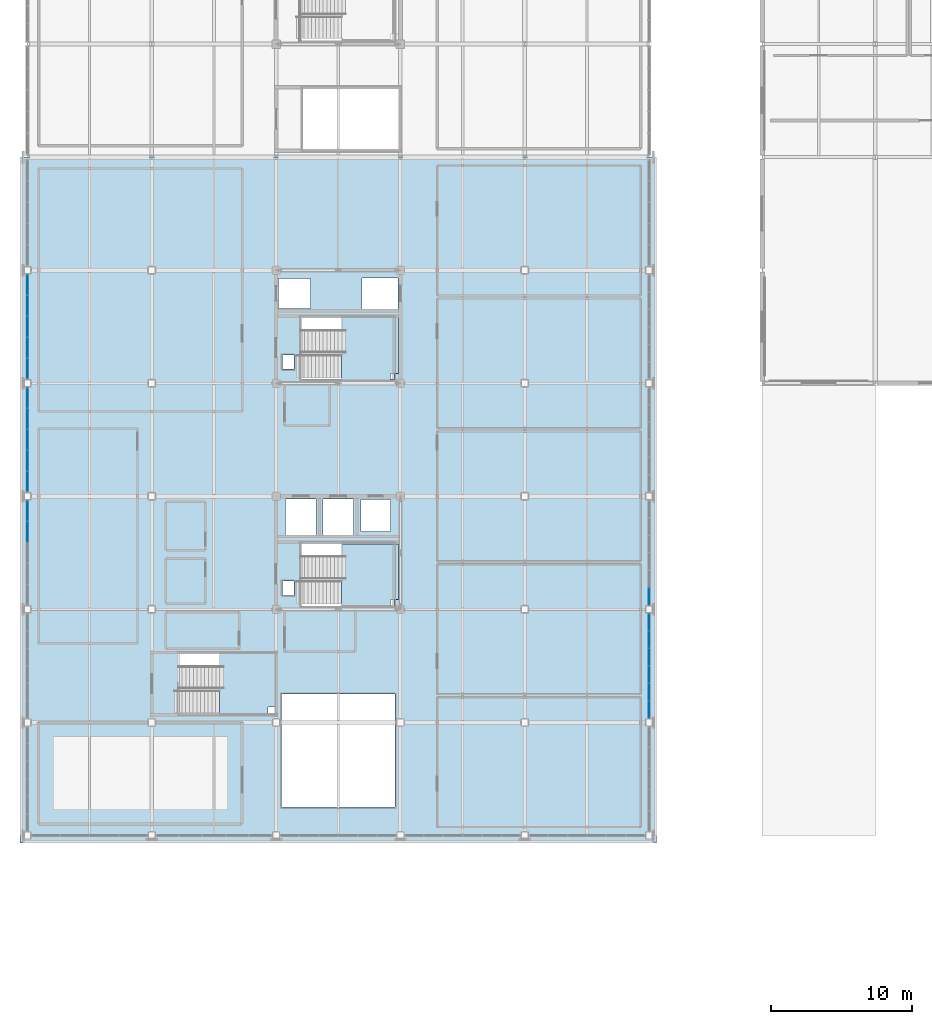
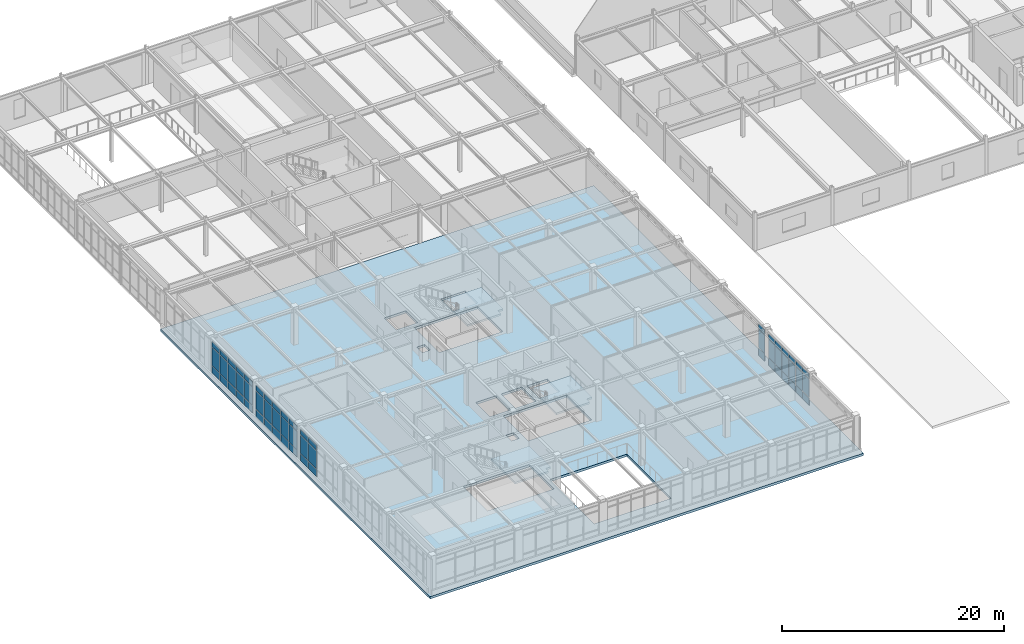
# One storey, part 40 of 88: 57 plates, 4 slabs, 8 elements without a shape of their own.
"""IFC4 building model written with IfcOpenShell, lengths in metres."""

from ifc_helpers import new_model, si_unit, direction, frame, origin, origin_2d, place, context, subcontext, project, spatial, polyline, rectangle, outline, extrude, material, layer, layer_set, type_object, element, aggregate, save


model = new_model("IFC4")

# Units and contexts
model_context = context("Model", 3, precision=1e-05, world=origin(), true_north=direction((0.0, 1.0)))
body_context = subcontext(model_context, "Body", "Model", "MODEL_VIEW")
ifc_project = project(units=[si_unit("LENGTHUNIT", "METRE"), si_unit("AREAUNIT", "SQUARE_METRE"), si_unit("VOLUMEUNIT", "CUBIC_METRE"), si_unit("PLANEANGLEUNIT", "RADIAN"), si_unit("MASSUNIT", "GRAM", prefix="KILO")], contexts=[model_context])

# Site, building, storey
site_placement = place(None, origin())
site = spatial("IfcSite", under=ifc_project, at=site_placement, CompositionType="ELEMENT")
building_placement = place(site_placement, origin())
building = spatial("IfcBuilding", under=site, at=building_placement, Name="Zhaolan Boulevard Law Courts", CompositionType="ELEMENT")
storey_placement = place(building_placement, frame((0.0, 0.0, 16.199951171875)))
storey = spatial("IfcBuildingStorey", under=building, at=storey_placement, Name="L03", CompositionType="ELEMENT", Elevation=16.199951171875)

# Curtain wall, plates
ifc_material_1 = material(Name="Thermally broken aluminium and low-E glazing", Category="aluminium")
curtain_wall_type_1 = type_object("IfcCurtainWallType", Name="CURTAIN WALL M7", PredefinedType="USERDEFINED", material=ifc_material_1)
curtain_wall_1_placement = place(storey_placement, origin())
curtain_wall_1 = element("IfcCurtainWall", 1, at=curtain_wall_1_placement, inside=storey, type_object=curtain_wall_type_1, Name="Curtain Wall CW-L03-175", ObjectType="CURTAIN WALL", PredefinedType="USERDEFINED")
ifc_material_2 = material(Name="Triple-silver low-E insulated glazing", Category="glass")
ifc_layer_1 = layer(ifc_material_2, 0.028076171875)
ifc_layer_set_1 = layer_set([ifc_layer_1])
plate_type = type_object("IfcPlateType", Name="CWPANEL LOW E28", PredefinedType="CURTAIN_PANEL", material=ifc_layer_set_1)
plate_1_placement = place(storey_placement, frame((0.0, 52.962158203125, 0.06494140625), z_axis=(0.0, 0.0, 1.0), x_axis=(0.0, -1.0, 0.0)))
plate_1 = element("IfcPlate", 2, at=plate_1_placement, type_object=plate_type, Name="CW-L03-175 panel 1.1", PredefinedType="CURTAIN_PANEL", context=body_context, shape_type="SweptSolid", body=[
    extrude(rectangle(XDim=1.3916015625, YDim=0.028076171875, at=origin_2d()), origin(), (0.0, 0.0, 1.0), 0.802490234375),
])
plate_2_placement = place(storey_placement, frame((0.0, 52.962158203125, 0.9326171875), z_axis=(0.0, 0.0, 1.0), x_axis=(0.0, -1.0, 0.0)))
plate_2 = element("IfcPlate", 3, at=plate_2_placement, type_object=plate_type, Name="CW-L03-175 panel 1.2", PredefinedType="CURTAIN_PANEL", context=body_context, shape_type="SweptSolid", body=[
    extrude(rectangle(XDim=1.3916015625, YDim=0.028076171875, at=origin_2d()), origin(), (0.0, 0.0, 1.0), 1.97802734375),
])
plate_3_placement = place(storey_placement, frame((0.0, 52.962158203125, 2.9755859375), z_axis=(0.0, 0.0, 1.0), x_axis=(0.0, -1.0, 0.0)))
plate_3 = element("IfcPlate", 4, at=plate_3_placement, type_object=plate_type, Name="CW-L03-175 panel 1.3", PredefinedType="CURTAIN_PANEL", context=body_context, shape_type="SweptSolid", body=[
    extrude(rectangle(XDim=1.3916015625, YDim=0.028076171875, at=origin_2d()), origin(), (0.0, 0.0, 1.0), 0.552490234375),
])
plate_4_placement = place(storey_placement, frame((0.0, 51.4892578125, 0.06494140625), z_axis=(0.0, 0.0, 1.0), x_axis=(0.0, -1.0, 0.0)))
plate_4 = element("IfcPlate", 5, at=plate_4_placement, type_object=plate_type, Name="CW-L03-175 panel 2.1", PredefinedType="CURTAIN_PANEL", context=body_context, shape_type="SweptSolid", body=[
    extrude(rectangle(XDim=1.42431640625, YDim=0.028076171875, at=origin_2d()), origin(), (0.0, 0.0, 1.0), 0.802490234375),
])
plate_5_placement = place(storey_placement, frame((0.0, 51.4892578125, 0.9326171875), z_axis=(0.0, 0.0, 1.0), x_axis=(0.0, -1.0, 0.0)))
plate_5 = element("IfcPlate", 6, at=plate_5_placement, type_object=plate_type, Name="CW-L03-175 panel 2.2", PredefinedType="CURTAIN_PANEL", context=body_context, shape_type="SweptSolid", body=[
    extrude(rectangle(XDim=1.42431640625, YDim=0.028076171875, at=origin_2d()), origin(), (0.0, 0.0, 1.0), 1.97802734375),
])
plate_6_placement = place(storey_placement, frame((0.0, 51.4892578125, 2.9755859375), z_axis=(0.0, 0.0, 1.0), x_axis=(0.0, -1.0, 0.0)))
plate_6 = element("IfcPlate", 7, at=plate_6_placement, type_object=plate_type, Name="CW-L03-175 panel 2.3", PredefinedType="CURTAIN_PANEL", context=body_context, shape_type="SweptSolid", body=[
    extrude(rectangle(XDim=1.42431640625, YDim=0.028076171875, at=origin_2d()), origin(), (0.0, 0.0, 1.0), 0.552490234375),
])
aggregate(curtain_wall_1, [plate_1, plate_2, plate_3, plate_4, plate_5, plate_6])

ifc_material_3 = material(Name="Thermally broken aluminium and low-E glazing", Category="aluminium")
curtain_wall_type_2 = type_object("IfcCurtainWallType", Name="CURTAIN WALL M8", PredefinedType="USERDEFINED", material=ifc_material_3)
curtain_wall_2_placement = place(storey_placement, origin())
curtain_wall_2 = element("IfcCurtainWall", 8, at=curtain_wall_2_placement, inside=storey, type_object=curtain_wall_type_2, Name="Curtain Wall CW-L03-176", ObjectType="CURTAIN WALL", PredefinedType="USERDEFINED")
plate_7_placement = place(storey_placement, frame((0.0, 60.962158203125, 0.06494140625), z_axis=(0.0, 0.0, 1.0), x_axis=(0.0, -1.0, 0.0)))
plate_7 = element("IfcPlate", 9, at=plate_7_placement, type_object=plate_type, Name="CW-L03-176 panel 1.1", PredefinedType="CURTAIN_PANEL", context=body_context, shape_type="SweptSolid", body=[
    extrude(rectangle(XDim=1.3916015625, YDim=0.028076171875, at=origin_2d()), origin(), (0.0, 0.0, 1.0), 0.802490234375),
])
plate_8_placement = place(storey_placement, frame((0.0, 60.962158203125, 0.9326171875), z_axis=(0.0, 0.0, 1.0), x_axis=(0.0, -1.0, 0.0)))
plate_8 = element("IfcPlate", 10, at=plate_8_placement, type_object=plate_type, Name="CW-L03-176 panel 1.2", PredefinedType="CURTAIN_PANEL", context=body_context, shape_type="SweptSolid", body=[
    extrude(rectangle(XDim=1.3916015625, YDim=0.028076171875, at=origin_2d()), origin(), (0.0, 0.0, 1.0), 1.97802734375),
])
plate_9_placement = place(storey_placement, frame((0.0, 60.962158203125, 2.9755859375), z_axis=(0.0, 0.0, 1.0), x_axis=(0.0, -1.0, 0.0)))
plate_9 = element("IfcPlate", 11, at=plate_9_placement, type_object=plate_type, Name="CW-L03-176 panel 1.3", PredefinedType="CURTAIN_PANEL", context=body_context, shape_type="SweptSolid", body=[
    extrude(rectangle(XDim=1.3916015625, YDim=0.028076171875, at=origin_2d()), origin(), (0.0, 0.0, 1.0), 0.552490234375),
])
plate_10_placement = place(storey_placement, frame((0.0, 59.4892578125, 0.06494140625), z_axis=(0.0, 0.0, 1.0), x_axis=(0.0, -1.0, 0.0)))
plate_10 = element("IfcPlate", 12, at=plate_10_placement, type_object=plate_type, Name="CW-L03-176 panel 2.1", PredefinedType="CURTAIN_PANEL", context=body_context, shape_type="SweptSolid", body=[
    extrude(rectangle(XDim=1.42431640625, YDim=0.028076171875, at=origin_2d()), origin(), (0.0, 0.0, 1.0), 0.802490234375),
])
plate_11_placement = place(storey_placement, frame((0.0, 59.4892578125, 0.9326171875), z_axis=(0.0, 0.0, 1.0), x_axis=(0.0, -1.0, 0.0)))
plate_11 = element("IfcPlate", 13, at=plate_11_placement, type_object=plate_type, Name="CW-L03-176 panel 2.2", PredefinedType="CURTAIN_PANEL", context=body_context, shape_type="SweptSolid", body=[
    extrude(rectangle(XDim=1.42431640625, YDim=0.028076171875, at=origin_2d()), origin(), (0.0, 0.0, 1.0), 1.97802734375),
])
plate_12_placement = place(storey_placement, frame((0.0, 59.4892578125, 2.9755859375), z_axis=(0.0, 0.0, 1.0), x_axis=(0.0, -1.0, 0.0)))
plate_12 = element("IfcPlate", 14, at=plate_12_placement, type_object=plate_type, Name="CW-L03-176 panel 2.3", PredefinedType="CURTAIN_PANEL", context=body_context, shape_type="SweptSolid", body=[
    extrude(rectangle(XDim=1.42431640625, YDim=0.028076171875, at=origin_2d()), origin(), (0.0, 0.0, 1.0), 0.552490234375),
])
plate_13_placement = place(storey_placement, frame((0.0, 58.0, 0.06494140625), z_axis=(0.0, 0.0, 1.0), x_axis=(0.0, -1.0, 0.0)))
plate_13 = element("IfcPlate", 15, at=plate_13_placement, type_object=plate_type, Name="CW-L03-176 panel 3.1", PredefinedType="CURTAIN_PANEL", context=body_context, shape_type="SweptSolid", body=[
    extrude(rectangle(XDim=1.42431640625, YDim=0.028076171875, at=origin_2d()), origin(), (0.0, 0.0, 1.0), 0.802490234375),
])
plate_14_placement = place(storey_placement, frame((0.0, 58.0, 0.9326171875), z_axis=(0.0, 0.0, 1.0), x_axis=(0.0, -1.0, 0.0)))
plate_14 = element("IfcPlate", 16, at=plate_14_placement, type_object=plate_type, Name="CW-L03-176 panel 3.2", PredefinedType="CURTAIN_PANEL", context=body_context, shape_type="SweptSolid", body=[
    extrude(rectangle(XDim=1.42431640625, YDim=0.028076171875, at=origin_2d()), origin(), (0.0, 0.0, 1.0), 1.97802734375),
])
plate_15_placement = place(storey_placement, frame((0.0, 58.0, 2.9755859375), z_axis=(0.0, 0.0, 1.0), x_axis=(0.0, -1.0, 0.0)))
plate_15 = element("IfcPlate", 17, at=plate_15_placement, type_object=plate_type, Name="CW-L03-176 panel 3.3", PredefinedType="CURTAIN_PANEL", context=body_context, shape_type="SweptSolid", body=[
    extrude(rectangle(XDim=1.42431640625, YDim=0.028076171875, at=origin_2d()), origin(), (0.0, 0.0, 1.0), 0.552490234375),
])
plate_16_placement = place(storey_placement, frame((0.0, 56.5107421875, 0.06494140625), z_axis=(0.0, 0.0, 1.0), x_axis=(0.0, -1.0, 0.0)))
plate_16 = element("IfcPlate", 18, at=plate_16_placement, type_object=plate_type, Name="CW-L03-176 panel 4.1", PredefinedType="CURTAIN_PANEL", context=body_context, shape_type="SweptSolid", body=[
    extrude(rectangle(XDim=1.42431640625, YDim=0.028076171875, at=origin_2d()), origin(), (0.0, 0.0, 1.0), 0.802490234375),
])
plate_17_placement = place(storey_placement, frame((0.0, 56.5107421875, 0.9326171875), z_axis=(0.0, 0.0, 1.0), x_axis=(0.0, -1.0, 0.0)))
plate_17 = element("IfcPlate", 19, at=plate_17_placement, type_object=plate_type, Name="CW-L03-176 panel 4.2", PredefinedType="CURTAIN_PANEL", context=body_context, shape_type="SweptSolid", body=[
    extrude(rectangle(XDim=1.42431640625, YDim=0.028076171875, at=origin_2d()), origin(), (0.0, 0.0, 1.0), 1.97802734375),
])
plate_18_placement = place(storey_placement, frame((0.0, 56.5107421875, 2.9755859375), z_axis=(0.0, 0.0, 1.0), x_axis=(0.0, -1.0, 0.0)))
plate_18 = element("IfcPlate", 20, at=plate_18_placement, type_object=plate_type, Name="CW-L03-176 panel 4.3", PredefinedType="CURTAIN_PANEL", context=body_context, shape_type="SweptSolid", body=[
    extrude(rectangle(XDim=1.42431640625, YDim=0.028076171875, at=origin_2d()), origin(), (0.0, 0.0, 1.0), 0.552490234375),
])
plate_19_placement = place(storey_placement, frame((0.0, 55.037841796875, 0.06494140625), z_axis=(0.0, 0.0, 1.0), x_axis=(0.0, -1.0, 0.0)))
plate_19 = element("IfcPlate", 21, at=plate_19_placement, type_object=plate_type, Name="CW-L03-176 panel 5.1", PredefinedType="CURTAIN_PANEL", context=body_context, shape_type="SweptSolid", body=[
    extrude(rectangle(XDim=1.3916015625, YDim=0.028076171875, at=origin_2d()), origin(), (0.0, 0.0, 1.0), 0.802490234375),
])
plate_20_placement = place(storey_placement, frame((0.0, 55.037841796875, 0.9326171875), z_axis=(0.0, 0.0, 1.0), x_axis=(0.0, -1.0, 0.0)))
plate_20 = element("IfcPlate", 22, at=plate_20_placement, type_object=plate_type, Name="CW-L03-176 panel 5.2", PredefinedType="CURTAIN_PANEL", context=body_context, shape_type="SweptSolid", body=[
    extrude(rectangle(XDim=1.3916015625, YDim=0.028076171875, at=origin_2d()), origin(), (0.0, 0.0, 1.0), 1.97802734375),
])
plate_21_placement = place(storey_placement, frame((0.0, 55.037841796875, 2.9755859375), z_axis=(0.0, 0.0, 1.0), x_axis=(0.0, -1.0, 0.0)))
plate_21 = element("IfcPlate", 23, at=plate_21_placement, type_object=plate_type, Name="CW-L03-176 panel 5.3", PredefinedType="CURTAIN_PANEL", context=body_context, shape_type="SweptSolid", body=[
    extrude(rectangle(XDim=1.3916015625, YDim=0.028076171875, at=origin_2d()), origin(), (0.0, 0.0, 1.0), 0.552490234375),
])
aggregate(curtain_wall_2, [plate_7, plate_8, plate_9, plate_10, plate_11, plate_12, plate_13, plate_14, plate_15, plate_16, plate_17, plate_18, plate_19, plate_20, plate_21])

ifc_material_4 = material(Name="Thermally broken aluminium and low-E glazing", Category="aluminium")
curtain_wall_type_3 = type_object("IfcCurtainWallType", Name="CURTAIN WALL M9", PredefinedType="USERDEFINED", material=ifc_material_4)
curtain_wall_3_placement = place(storey_placement, origin())
curtain_wall_3 = element("IfcCurtainWall", 24, at=curtain_wall_3_placement, inside=storey, type_object=curtain_wall_type_3, Name="Curtain Wall CW-L03-177", ObjectType="CURTAIN WALL", PredefinedType="USERDEFINED")
plate_22_placement = place(storey_placement, frame((0.0, 68.962158203125, 0.06494140625), z_axis=(0.0, 0.0, 1.0), x_axis=(0.0, -1.0, 0.0)))
plate_22 = element("IfcPlate", 25, at=plate_22_placement, type_object=plate_type, Name="CW-L03-177 panel 1.1", PredefinedType="CURTAIN_PANEL", context=body_context, shape_type="SweptSolid", body=[
    extrude(rectangle(XDim=1.3916015625, YDim=0.028076171875, at=origin_2d()), origin(), (0.0, 0.0, 1.0), 0.802490234375),
])
plate_23_placement = place(storey_placement, frame((0.0, 68.962158203125, 0.9326171875), z_axis=(0.0, 0.0, 1.0), x_axis=(0.0, -1.0, 0.0)))
plate_23 = element("IfcPlate", 26, at=plate_23_placement, type_object=plate_type, Name="CW-L03-177 panel 1.2", PredefinedType="CURTAIN_PANEL", context=body_context, shape_type="SweptSolid", body=[
    extrude(rectangle(XDim=1.3916015625, YDim=0.028076171875, at=origin_2d()), origin(), (0.0, 0.0, 1.0), 1.97802734375),
])
plate_24_placement = place(storey_placement, frame((0.0, 68.962158203125, 2.9755859375), z_axis=(0.0, 0.0, 1.0), x_axis=(0.0, -1.0, 0.0)))
plate_24 = element("IfcPlate", 27, at=plate_24_placement, type_object=plate_type, Name="CW-L03-177 panel 1.3", PredefinedType="CURTAIN_PANEL", context=body_context, shape_type="SweptSolid", body=[
    extrude(rectangle(XDim=1.3916015625, YDim=0.028076171875, at=origin_2d()), origin(), (0.0, 0.0, 1.0), 0.552490234375),
])
plate_25_placement = place(storey_placement, frame((0.0, 67.4892578125, 0.06494140625), z_axis=(0.0, 0.0, 1.0), x_axis=(0.0, -1.0, 0.0)))
plate_25 = element("IfcPlate", 28, at=plate_25_placement, type_object=plate_type, Name="CW-L03-177 panel 2.1", PredefinedType="CURTAIN_PANEL", context=body_context, shape_type="SweptSolid", body=[
    extrude(rectangle(XDim=1.42431640625, YDim=0.028076171875, at=origin_2d()), origin(), (0.0, 0.0, 1.0), 0.802490234375),
])
plate_26_placement = place(storey_placement, frame((0.0, 67.4892578125, 0.9326171875), z_axis=(0.0, 0.0, 1.0), x_axis=(0.0, -1.0, 0.0)))
plate_26 = element("IfcPlate", 29, at=plate_26_placement, type_object=plate_type, Name="CW-L03-177 panel 2.2", PredefinedType="CURTAIN_PANEL", context=body_context, shape_type="SweptSolid", body=[
    extrude(rectangle(XDim=1.42431640625, YDim=0.028076171875, at=origin_2d()), origin(), (0.0, 0.0, 1.0), 1.97802734375),
])
plate_27_placement = place(storey_placement, frame((0.0, 67.4892578125, 2.9755859375), z_axis=(0.0, 0.0, 1.0), x_axis=(0.0, -1.0, 0.0)))
plate_27 = element("IfcPlate", 30, at=plate_27_placement, type_object=plate_type, Name="CW-L03-177 panel 2.3", PredefinedType="CURTAIN_PANEL", context=body_context, shape_type="SweptSolid", body=[
    extrude(rectangle(XDim=1.42431640625, YDim=0.028076171875, at=origin_2d()), origin(), (0.0, 0.0, 1.0), 0.552490234375),
])
plate_28_placement = place(storey_placement, frame((0.0, 66.0, 0.06494140625), z_axis=(0.0, 0.0, 1.0), x_axis=(0.0, -1.0, 0.0)))
plate_28 = element("IfcPlate", 31, at=plate_28_placement, type_object=plate_type, Name="CW-L03-177 panel 3.1", PredefinedType="CURTAIN_PANEL", context=body_context, shape_type="SweptSolid", body=[
    extrude(rectangle(XDim=1.42431640625, YDim=0.028076171875, at=origin_2d()), origin(), (0.0, 0.0, 1.0), 0.802490234375),
])
plate_29_placement = place(storey_placement, frame((0.0, 66.0, 0.9326171875), z_axis=(0.0, 0.0, 1.0), x_axis=(0.0, -1.0, 0.0)))
plate_29 = element("IfcPlate", 32, at=plate_29_placement, type_object=plate_type, Name="CW-L03-177 panel 3.2", PredefinedType="CURTAIN_PANEL", context=body_context, shape_type="SweptSolid", body=[
    extrude(rectangle(XDim=1.42431640625, YDim=0.028076171875, at=origin_2d()), origin(), (0.0, 0.0, 1.0), 1.97802734375),
])
plate_30_placement = place(storey_placement, frame((0.0, 66.0, 2.9755859375), z_axis=(0.0, 0.0, 1.0), x_axis=(0.0, -1.0, 0.0)))
plate_30 = element("IfcPlate", 33, at=plate_30_placement, type_object=plate_type, Name="CW-L03-177 panel 3.3", PredefinedType="CURTAIN_PANEL", context=body_context, shape_type="SweptSolid", body=[
    extrude(rectangle(XDim=1.42431640625, YDim=0.028076171875, at=origin_2d()), origin(), (0.0, 0.0, 1.0), 0.552490234375),
])
plate_31_placement = place(storey_placement, frame((0.0, 64.5107421875, 0.06494140625), z_axis=(0.0, 0.0, 1.0), x_axis=(0.0, -1.0, 0.0)))
plate_31 = element("IfcPlate", 34, at=plate_31_placement, type_object=plate_type, Name="CW-L03-177 panel 4.1", PredefinedType="CURTAIN_PANEL", context=body_context, shape_type="SweptSolid", body=[
    extrude(rectangle(XDim=1.42431640625, YDim=0.028076171875, at=origin_2d()), origin(), (0.0, 0.0, 1.0), 0.802490234375),
])
plate_32_placement = place(storey_placement, frame((0.0, 64.5107421875, 0.9326171875), z_axis=(0.0, 0.0, 1.0), x_axis=(0.0, -1.0, 0.0)))
plate_32 = element("IfcPlate", 35, at=plate_32_placement, type_object=plate_type, Name="CW-L03-177 panel 4.2", PredefinedType="CURTAIN_PANEL", context=body_context, shape_type="SweptSolid", body=[
    extrude(rectangle(XDim=1.42431640625, YDim=0.028076171875, at=origin_2d()), origin(), (0.0, 0.0, 1.0), 1.97802734375),
])
plate_33_placement = place(storey_placement, frame((0.0, 64.5107421875, 2.9755859375), z_axis=(0.0, 0.0, 1.0), x_axis=(0.0, -1.0, 0.0)))
plate_33 = element("IfcPlate", 36, at=plate_33_placement, type_object=plate_type, Name="CW-L03-177 panel 4.3", PredefinedType="CURTAIN_PANEL", context=body_context, shape_type="SweptSolid", body=[
    extrude(rectangle(XDim=1.42431640625, YDim=0.028076171875, at=origin_2d()), origin(), (0.0, 0.0, 1.0), 0.552490234375),
])
plate_34_placement = place(storey_placement, frame((0.0, 63.037841796875, 0.06494140625), z_axis=(0.0, 0.0, 1.0), x_axis=(0.0, -1.0, 0.0)))
plate_34 = element("IfcPlate", 37, at=plate_34_placement, type_object=plate_type, Name="CW-L03-177 panel 5.1", PredefinedType="CURTAIN_PANEL", context=body_context, shape_type="SweptSolid", body=[
    extrude(rectangle(XDim=1.3916015625, YDim=0.028076171875, at=origin_2d()), origin(), (0.0, 0.0, 1.0), 0.802490234375),
])
plate_35_placement = place(storey_placement, frame((0.0, 63.037841796875, 0.9326171875), z_axis=(0.0, 0.0, 1.0), x_axis=(0.0, -1.0, 0.0)))
plate_35 = element("IfcPlate", 38, at=plate_35_placement, type_object=plate_type, Name="CW-L03-177 panel 5.2", PredefinedType="CURTAIN_PANEL", context=body_context, shape_type="SweptSolid", body=[
    extrude(rectangle(XDim=1.3916015625, YDim=0.028076171875, at=origin_2d()), origin(), (0.0, 0.0, 1.0), 1.97802734375),
])
plate_36_placement = place(storey_placement, frame((0.0, 63.037841796875, 2.9755859375), z_axis=(0.0, 0.0, 1.0), x_axis=(0.0, -1.0, 0.0)))
plate_36 = element("IfcPlate", 39, at=plate_36_placement, type_object=plate_type, Name="CW-L03-177 panel 5.3", PredefinedType="CURTAIN_PANEL", context=body_context, shape_type="SweptSolid", body=[
    extrude(rectangle(XDim=1.3916015625, YDim=0.028076171875, at=origin_2d()), origin(), (0.0, 0.0, 1.0), 0.552490234375),
])
aggregate(curtain_wall_3, [plate_22, plate_23, plate_24, plate_25, plate_26, plate_27, plate_28, plate_29, plate_30, plate_31, plate_32, plate_33, plate_34, plate_35, plate_36])

ifc_material_5 = material(Name="Thermally broken aluminium and low-E glazing", Category="aluminium")
curtain_wall_type_4 = type_object("IfcCurtainWallType", Name="CURTAIN WALL M12", PredefinedType="USERDEFINED", material=ifc_material_5)
curtain_wall_4_placement = place(storey_placement, origin())
curtain_wall_4 = element("IfcCurtainWall", 40, at=curtain_wall_4_placement, inside=storey, type_object=curtain_wall_type_4, Name="Curtain Wall CW-L03-180", ObjectType="CURTAIN WALL", PredefinedType="USERDEFINED")
plate_37_placement = place(storey_placement, frame((44.0, 38.913818359375, 0.06494140625), z_axis=(0.0, 0.0, 1.0), x_axis=(0.0, 1.0, 0.0)))
plate_37 = element("IfcPlate", 41, at=plate_37_placement, type_object=plate_type, Name="CW-L03-180 panel 1.1", PredefinedType="CURTAIN_PANEL", context=body_context, shape_type="SweptSolid", body=[
    extrude(rectangle(XDim=1.1435546875, YDim=0.028076171875, at=origin_2d()), origin(), (0.0, 0.0, 1.0), 0.802490234375),
])
plate_38_placement = place(storey_placement, frame((44.0, 38.913818359375, 0.9326171875), z_axis=(0.0, 0.0, 1.0), x_axis=(0.0, 1.0, 0.0)))
plate_38 = element("IfcPlate", 42, at=plate_38_placement, type_object=plate_type, Name="CW-L03-180 panel 1.2", PredefinedType="CURTAIN_PANEL", context=body_context, shape_type="SweptSolid", body=[
    extrude(rectangle(XDim=1.1435546875, YDim=0.028076171875, at=origin_2d()), origin(), (0.0, 0.0, 1.0), 1.97802734375),
])
plate_39_placement = place(storey_placement, frame((44.0, 38.913818359375, 2.9755859375), z_axis=(0.0, 0.0, 1.0), x_axis=(0.0, 1.0, 0.0)))
plate_39 = element("IfcPlate", 43, at=plate_39_placement, type_object=plate_type, Name="CW-L03-180 panel 1.3", PredefinedType="CURTAIN_PANEL", context=body_context, shape_type="SweptSolid", body=[
    extrude(rectangle(XDim=1.1435546875, YDim=0.028076171875, at=origin_2d()), origin(), (0.0, 0.0, 1.0), 0.552490234375),
])
plate_40_placement = place(storey_placement, frame((44.0, 40.138427734375, 0.06494140625), z_axis=(0.0, 0.0, 1.0), x_axis=(0.0, 1.0, 0.0)))
plate_40 = element("IfcPlate", 44, at=plate_40_placement, type_object=plate_type, Name="CW-L03-180 panel 2.1", PredefinedType="CURTAIN_PANEL", context=body_context, shape_type="SweptSolid", body=[
    extrude(rectangle(XDim=1.176025390625, YDim=0.028076171875, at=origin_2d()), origin(), (0.0, 0.0, 1.0), 0.802490234375),
])
plate_41_placement = place(storey_placement, frame((44.0, 40.138427734375, 0.9326171875), z_axis=(0.0, 0.0, 1.0), x_axis=(0.0, 1.0, 0.0)))
plate_41 = element("IfcPlate", 45, at=plate_41_placement, type_object=plate_type, Name="CW-L03-180 panel 2.2", PredefinedType="CURTAIN_PANEL", context=body_context, shape_type="SweptSolid", body=[
    extrude(rectangle(XDim=1.176025390625, YDim=0.028076171875, at=origin_2d()), origin(), (0.0, 0.0, 1.0), 1.97802734375),
])
plate_42_placement = place(storey_placement, frame((44.0, 40.138427734375, 2.9755859375), z_axis=(0.0, 0.0, 1.0), x_axis=(0.0, 1.0, 0.0)))
plate_42 = element("IfcPlate", 46, at=plate_42_placement, type_object=plate_type, Name="CW-L03-180 panel 2.3", PredefinedType="CURTAIN_PANEL", context=body_context, shape_type="SweptSolid", body=[
    extrude(rectangle(XDim=1.176025390625, YDim=0.028076171875, at=origin_2d()), origin(), (0.0, 0.0, 1.0), 0.552490234375),
])
plate_43_placement = place(storey_placement, frame((44.0, 41.37939453125, 0.06494140625), z_axis=(0.0, 0.0, 1.0), x_axis=(0.0, 1.0, 0.0)))
plate_43 = element("IfcPlate", 47, at=plate_43_placement, type_object=plate_type, Name="CW-L03-180 panel 3.1", PredefinedType="CURTAIN_PANEL", context=body_context, shape_type="SweptSolid", body=[
    extrude(rectangle(XDim=1.176025390625, YDim=0.028076171875, at=origin_2d()), origin(), (0.0, 0.0, 1.0), 0.802490234375),
])
plate_44_placement = place(storey_placement, frame((44.0, 41.37939453125, 0.9326171875), z_axis=(0.0, 0.0, 1.0), x_axis=(0.0, 1.0, 0.0)))
plate_44 = element("IfcPlate", 48, at=plate_44_placement, type_object=plate_type, Name="CW-L03-180 panel 3.2", PredefinedType="CURTAIN_PANEL", context=body_context, shape_type="SweptSolid", body=[
    extrude(rectangle(XDim=1.176025390625, YDim=0.028076171875, at=origin_2d()), origin(), (0.0, 0.0, 1.0), 1.97802734375),
])
plate_45_placement = place(storey_placement, frame((44.0, 41.37939453125, 2.9755859375), z_axis=(0.0, 0.0, 1.0), x_axis=(0.0, 1.0, 0.0)))
plate_45 = element("IfcPlate", 49, at=plate_45_placement, type_object=plate_type, Name="CW-L03-180 panel 3.3", PredefinedType="CURTAIN_PANEL", context=body_context, shape_type="SweptSolid", body=[
    extrude(rectangle(XDim=1.176025390625, YDim=0.028076171875, at=origin_2d()), origin(), (0.0, 0.0, 1.0), 0.552490234375),
])
plate_46_placement = place(storey_placement, frame((44.0, 42.62060546875, 0.06494140625), z_axis=(0.0, 0.0, 1.0), x_axis=(0.0, 1.0, 0.0)))
plate_46 = element("IfcPlate", 50, at=plate_46_placement, type_object=plate_type, Name="CW-L03-180 panel 4.1", PredefinedType="CURTAIN_PANEL", context=body_context, shape_type="SweptSolid", body=[
    extrude(rectangle(XDim=1.176025390625, YDim=0.028076171875, at=origin_2d()), origin(), (0.0, 0.0, 1.0), 0.802490234375),
])
plate_47_placement = place(storey_placement, frame((44.0, 42.62060546875, 0.9326171875), z_axis=(0.0, 0.0, 1.0), x_axis=(0.0, 1.0, 0.0)))
plate_47 = element("IfcPlate", 51, at=plate_47_placement, type_object=plate_type, Name="CW-L03-180 panel 4.2", PredefinedType="CURTAIN_PANEL", context=body_context, shape_type="SweptSolid", body=[
    extrude(rectangle(XDim=1.176025390625, YDim=0.028076171875, at=origin_2d()), origin(), (0.0, 0.0, 1.0), 1.97802734375),
])
plate_48_placement = place(storey_placement, frame((44.0, 42.62060546875, 2.9755859375), z_axis=(0.0, 0.0, 1.0), x_axis=(0.0, 1.0, 0.0)))
plate_48 = element("IfcPlate", 52, at=plate_48_placement, type_object=plate_type, Name="CW-L03-180 panel 4.3", PredefinedType="CURTAIN_PANEL", context=body_context, shape_type="SweptSolid", body=[
    extrude(rectangle(XDim=1.176025390625, YDim=0.028076171875, at=origin_2d()), origin(), (0.0, 0.0, 1.0), 0.552490234375),
])
plate_49_placement = place(storey_placement, frame((44.0, 43.861572265625, 0.06494140625), z_axis=(0.0, 0.0, 1.0), x_axis=(0.0, 1.0, 0.0)))
plate_49 = element("IfcPlate", 53, at=plate_49_placement, type_object=plate_type, Name="CW-L03-180 panel 5.1", PredefinedType="CURTAIN_PANEL", context=body_context, shape_type="SweptSolid", body=[
    extrude(rectangle(XDim=1.176025390625, YDim=0.028076171875, at=origin_2d()), origin(), (0.0, 0.0, 1.0), 0.802490234375),
])
plate_50_placement = place(storey_placement, frame((44.0, 43.861572265625, 0.9326171875), z_axis=(0.0, 0.0, 1.0), x_axis=(0.0, 1.0, 0.0)))
plate_50 = element("IfcPlate", 54, at=plate_50_placement, type_object=plate_type, Name="CW-L03-180 panel 5.2", PredefinedType="CURTAIN_PANEL", context=body_context, shape_type="SweptSolid", body=[
    extrude(rectangle(XDim=1.176025390625, YDim=0.028076171875, at=origin_2d()), origin(), (0.0, 0.0, 1.0), 1.97802734375),
])
plate_51_placement = place(storey_placement, frame((44.0, 43.861572265625, 2.9755859375), z_axis=(0.0, 0.0, 1.0), x_axis=(0.0, 1.0, 0.0)))
plate_51 = element("IfcPlate", 55, at=plate_51_placement, type_object=plate_type, Name="CW-L03-180 panel 5.3", PredefinedType="CURTAIN_PANEL", context=body_context, shape_type="SweptSolid", body=[
    extrude(rectangle(XDim=1.176025390625, YDim=0.028076171875, at=origin_2d()), origin(), (0.0, 0.0, 1.0), 0.552490234375),
])
plate_52_placement = place(storey_placement, frame((44.0, 45.086181640625, 0.06494140625), z_axis=(0.0, 0.0, 1.0), x_axis=(0.0, 1.0, 0.0)))
plate_52 = element("IfcPlate", 56, at=plate_52_placement, type_object=plate_type, Name="CW-L03-180 panel 6.1", PredefinedType="CURTAIN_PANEL", context=body_context, shape_type="SweptSolid", body=[
    extrude(rectangle(XDim=1.1435546875, YDim=0.028076171875, at=origin_2d()), origin(), (0.0, 0.0, 1.0), 0.802490234375),
])
plate_53_placement = place(storey_placement, frame((44.0, 45.086181640625, 0.9326171875), z_axis=(0.0, 0.0, 1.0), x_axis=(0.0, 1.0, 0.0)))
plate_53 = element("IfcPlate", 57, at=plate_53_placement, type_object=plate_type, Name="CW-L03-180 panel 6.2", PredefinedType="CURTAIN_PANEL", context=body_context, shape_type="SweptSolid", body=[
    extrude(rectangle(XDim=1.1435546875, YDim=0.028076171875, at=origin_2d()), origin(), (0.0, 0.0, 1.0), 1.97802734375),
])
plate_54_placement = place(storey_placement, frame((44.0, 45.086181640625, 2.9755859375), z_axis=(0.0, 0.0, 1.0), x_axis=(0.0, 1.0, 0.0)))
plate_54 = element("IfcPlate", 58, at=plate_54_placement, type_object=plate_type, Name="CW-L03-180 panel 6.3", PredefinedType="CURTAIN_PANEL", context=body_context, shape_type="SweptSolid", body=[
    extrude(rectangle(XDim=1.1435546875, YDim=0.028076171875, at=origin_2d()), origin(), (0.0, 0.0, 1.0), 0.552490234375),
])
aggregate(curtain_wall_4, [plate_37, plate_38, plate_39, plate_40, plate_41, plate_42, plate_43, plate_44, plate_45, plate_46, plate_47, plate_48, plate_49, plate_50, plate_51, plate_52, plate_53, plate_54])

ifc_material_6 = material(Name="Thermally broken aluminium and low-E glazing", Category="aluminium")
curtain_wall_type_5 = type_object("IfcCurtainWallType", Name="CURTAIN WALL M13", PredefinedType="USERDEFINED", material=ifc_material_6)
curtain_wall_5_placement = place(storey_placement, origin())
curtain_wall_5 = element("IfcCurtainWall", 59, at=curtain_wall_5_placement, inside=storey, type_object=curtain_wall_type_5, Name="Curtain Wall CW-L03-181", ObjectType="CURTAIN WALL", PredefinedType="USERDEFINED")
plate_55_placement = place(storey_placement, frame((44.0, 46.913818359375, 0.06494140625), z_axis=(0.0, 0.0, 1.0), x_axis=(0.0, 1.0, 0.0)))
plate_55 = element("IfcPlate", 60, at=plate_55_placement, type_object=plate_type, Name="CW-L03-181 panel 1.1", PredefinedType="CURTAIN_PANEL", context=body_context, shape_type="SweptSolid", body=[
    extrude(rectangle(XDim=1.1435546875, YDim=0.028076171875, at=origin_2d()), origin(), (0.0, 0.0, 1.0), 0.802490234375),
])
plate_56_placement = place(storey_placement, frame((44.0, 46.913818359375, 0.9326171875), z_axis=(0.0, 0.0, 1.0), x_axis=(0.0, 1.0, 0.0)))
plate_56 = element("IfcPlate", 61, at=plate_56_placement, type_object=plate_type, Name="CW-L03-181 panel 1.2", PredefinedType="CURTAIN_PANEL", context=body_context, shape_type="SweptSolid", body=[
    extrude(rectangle(XDim=1.1435546875, YDim=0.028076171875, at=origin_2d()), origin(), (0.0, 0.0, 1.0), 1.97802734375),
])
plate_57_placement = place(storey_placement, frame((44.0, 46.913818359375, 2.9755859375), z_axis=(0.0, 0.0, 1.0), x_axis=(0.0, 1.0, 0.0)))
plate_57 = element("IfcPlate", 62, at=plate_57_placement, type_object=plate_type, Name="CW-L03-181 panel 1.3", PredefinedType="CURTAIN_PANEL", context=body_context, shape_type="SweptSolid", body=[
    extrude(rectangle(XDim=1.1435546875, YDim=0.028076171875, at=origin_2d()), origin(), (0.0, 0.0, 1.0), 0.552490234375),
])
aggregate(curtain_wall_5, [plate_55, plate_56, plate_57])

# Slab
ifc_material_7 = material(Name="Concrete C40", Category="concrete")
ifc_layer_2 = layer(ifc_material_7, 0.260009765625)
ifc_layer_set_2 = layer_set([ifc_layer_2])
slab_type_1 = type_object("IfcSlabType", Name="FLOOR SLAB 260", PredefinedType="FLOOR", material=ifc_layer_set_2)
slab_1_placement = place(storey_placement, frame((0.0, 0.0, -0.260009765625)))
element("IfcSlab", 63, at=slab_1_placement, inside=storey, type_object=slab_type_1, Name="Slab SLB-L03-V5", PredefinedType="FLOOR", context=body_context, shape_type="SweptSolid", body=[
    extrude(outline(polyline([(-0.52001953125, 29.47998046875), (44.52001953125, 29.47998046875), (44.52001953125, 78.0), (-0.52001953125, 78.0), (-0.52001953125, 29.47998046875)]), holes=[polyline([(18.27490234375, 51.27490234375), (20.425048828125, 51.27490234375), (20.425048828125, 53.824951171875), (18.27490234375, 53.824951171875), (18.27490234375, 51.27490234375)]), polyline([(20.925048828125, 51.27490234375), (23.074951171875, 51.27490234375), (23.074951171875, 53.824951171875), (20.925048828125, 53.824951171875), (20.925048828125, 51.27490234375)]), polyline([(23.675048828125, 67.25), (26.22509765625, 67.25), (26.22509765625, 69.449951171875), (23.675048828125, 69.449951171875), (23.675048828125, 67.25)]), polyline([(23.60009765625, 51.52490234375), (25.699951171875, 51.52490234375), (25.699951171875, 53.77490234375), (23.60009765625, 53.77490234375), (23.60009765625, 51.52490234375)]), polyline([(17.77490234375, 67.27490234375), (20.02490234375, 67.27490234375), (20.02490234375, 69.425048828125), (17.77490234375, 69.425048828125), (17.77490234375, 67.27490234375)]), polyline([(19.35009765625, 46.25), (25.949951171875, 46.25), (25.949951171875, 50.75), (19.35009765625, 50.75), (19.35009765625, 46.25)]), polyline([(19.35009765625, 62.25), (25.949951171875, 62.25), (25.949951171875, 66.75), (19.35009765625, 66.75), (19.35009765625, 62.25)]), polyline([(10.699951171875, 38.550048828125), (17.60009765625, 38.550048828125), (17.60009765625, 42.949951171875), (10.699951171875, 42.949951171875), (10.699951171875, 38.550048828125)]), polyline([(18.050048828125, 47.0), (18.85009765625, 47.0), (18.85009765625, 48.0), (18.050048828125, 48.0), (18.050048828125, 47.0)]), polyline([(18.050048828125, 63.0), (18.85009765625, 63.0), (18.85009765625, 64.0), (18.050048828125, 64.0), (18.050048828125, 63.0)]), polyline([(18.0, 32.0), (26.0, 32.0), (26.0, 40.0), (18.0, 40.0), (18.0, 32.0)])]), origin(), (0.0, 0.0, 1.0), 0.260009765625),
])

# Stair, slab
ifc_material_8 = material(Name="Concrete C40", Category="concrete")
stair_type_1 = type_object("IfcStairType", Name="HALF TURN STAIR 42 A", PredefinedType="HALF_TURN_STAIR", material=ifc_material_8)
stair_1_placement = place(storey_placement, origin())
stair_1 = element("IfcStair", 64, at=stair_1_placement, inside=storey, type_object=stair_type_1, Name="Stair ST01-L03", PredefinedType="HALF_TURN_STAIR")
ifc_material_9 = material(Name="Concrete C40", Category="concrete")
ifc_layer_3 = layer(ifc_material_9, 0.199951171875)
ifc_layer_set_3 = layer_set([ifc_layer_3])
slab_type_2 = type_object("IfcSlabType", Name="STAIR LANDING 200", PredefinedType="LANDING", material=ifc_layer_set_3)
slab_2_placement = place(storey_placement, frame((0.0, 0.0, 1.900146484375)))
slab_2 = element("IfcSlab", 65, at=slab_2_placement, type_object=slab_type_2, Name="Stair Landing ST01-L03-L1", PredefinedType="LANDING", context=body_context, shape_type="SweptSolid", body=[
    extrude(outline(polyline([(22.22998046875, 46.14501953125), (25.695068359375, 46.14501953125), (25.695068359375, 46.705078125), (26.2548828125, 46.705078125), (26.2548828125, 50.639892578125), (22.22998046875, 50.639892578125), (22.22998046875, 46.14501953125)])), origin(), (0.0, 0.0, 1.0), 0.199951171875),
])
aggregate(stair_1, [slab_2])

stair_2_placement = place(storey_placement, origin())
stair_2 = element("IfcStair", 66, at=stair_2_placement, inside=storey, type_object=stair_type_1, Name="Stair ST02-L03", PredefinedType="HALF_TURN_STAIR")
slab_3_placement = place(storey_placement, frame((0.0, 0.0, 1.900146484375)))
slab_3 = element("IfcSlab", 67, at=slab_3_placement, type_object=slab_type_2, Name="Stair Landing ST02-L03-L1", PredefinedType="LANDING", context=body_context, shape_type="SweptSolid", body=[
    extrude(outline(polyline([(22.22998046875, 62.14501953125), (25.695068359375, 62.14501953125), (25.695068359375, 62.705078125), (26.2548828125, 62.705078125), (26.2548828125, 66.639892578125), (22.22998046875, 66.639892578125), (22.22998046875, 62.14501953125)])), origin(), (0.0, 0.0, 1.0), 0.199951171875),
])
aggregate(stair_2, [slab_3])

ifc_material_10 = material(Name="Concrete C40", Category="concrete")
stair_type_2 = type_object("IfcStairType", Name="HALF TURN STAIR 42 B", PredefinedType="HALF_TURN_STAIR", material=ifc_material_10)
stair_3_placement = place(storey_placement, origin())
stair_3 = element("IfcStair", 68, at=stair_3_placement, inside=storey, type_object=stair_type_2, Name="Stair ST03-L03", PredefinedType="HALF_TURN_STAIR")
slab_4_placement = place(storey_placement, frame((0.0, 0.0, 1.900146484375)))
slab_4 = element("IfcSlab", 69, at=slab_4_placement, type_object=slab_type_2, Name="Stair Landing ST03-L03-L1", PredefinedType="LANDING", context=body_context, shape_type="SweptSolid", body=[
    extrude(outline(polyline([(13.580078125, 38.60009765625), (17.0400390625, 38.60009765625), (17.0400390625, 39.110107421875), (17.550048828125, 39.110107421875), (17.550048828125, 42.89990234375), (13.580078125, 42.89990234375), (13.580078125, 38.60009765625)])), origin(), (0.0, 0.0, 1.0), 0.199951171875),
])
aggregate(stair_3, [slab_4])

save(model, "model.ifc")
